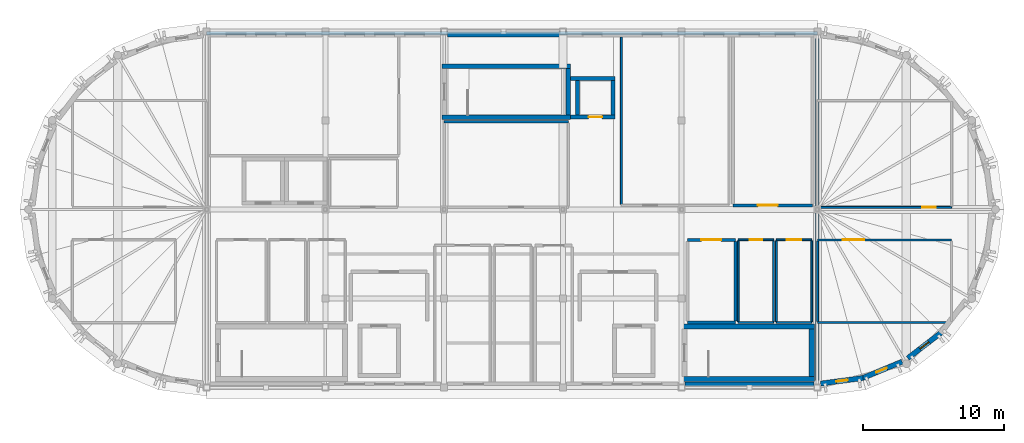
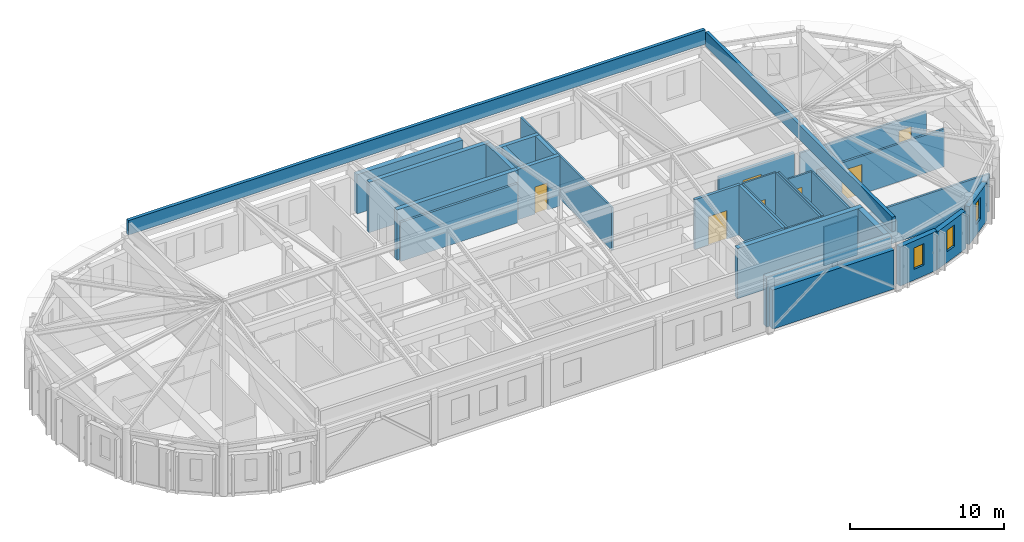
# One storey, part 9 of 11: 35 walls, 7 doors, 3 windows, 10 openings.
"""IFC4 building model written with IfcOpenShell, lengths in metres."""

from ifc_helpers import new_model, si_unit, direction, frame, frame_2d, origin, place, context, subcontext, project, spatial, rectangle, extrude, material, layer, layer_set, type_object, element, fill, save


model = new_model("IFC4")

# Units and contexts
model_context = context("Model", 3, precision=1e-05, world=origin(), true_north=direction((0.0, 1.0)))
body_context = subcontext(model_context, "Body", "Model", "MODEL_VIEW")
ifc_project = project(units=[si_unit("LENGTHUNIT", "METRE"), si_unit("AREAUNIT", "SQUARE_METRE"), si_unit("VOLUMEUNIT", "CUBIC_METRE"), si_unit("PLANEANGLEUNIT", "RADIAN"), si_unit("MASSUNIT", "GRAM", prefix="KILO")], contexts=[model_context])

# Site, building, storey
site_placement = place(None, origin())
site = spatial("IfcSite", under=ifc_project, at=site_placement, CompositionType="ELEMENT")
building_placement = place(site_placement, origin())
building = spatial("IfcBuilding", under=site, at=building_placement, Name="Tarnavel Promenade Courthouse", CompositionType="ELEMENT")
storey_placement = place(building_placement, frame((0.0, 0.0, 35.39990234375)))
storey = spatial("IfcBuildingStorey", under=building, at=storey_placement, Name="L09", CompositionType="ELEMENT", Elevation=35.39990234375)

# Wall
ifc_material_1 = material(Name="Acoustic Insulated Gypsum Stud Partition", Category="gypsum")
ifc_layer_1 = layer(ifc_material_1, 0.1650390625)
ifc_layer_set_1 = layer_set([ifc_layer_1], Name="Acoustic Insulated Gypsum Stud Partition")
wall_type_1 = type_object("IfcWallType", Name="Acoustic Insulated Gypsum Stud Partition WL-CHM-165 (165 mm)", PredefinedType="PARTITIONING", material=ifc_layer_set_1)
wall_1_placement = place(storey_placement, frame((75.60009765625, 98.0, 0.0), z_axis=(0.0, 0.0, 1.0), x_axis=(1.0, 0.0, 0.0)))
element("IfcWall", 1, at=wall_1_placement, inside=storey, type_object=wall_type_1, Name="L09 L09 Judicial Panel Deliberation Salon Partition 1026", PredefinedType="PARTITIONING", context=body_context, shape_type="SweptSolid", body=[
    extrude(rectangle(XDim=8.7998046875, YDim=0.1650390625, at=frame_2d((4.39990234375, 0.0))), origin(), (0.0, 0.0, 1.0), 3.09521484375),
])

# Wall, opening, door
ifc_layer_2 = layer(ifc_material_1, 0.14990234375)
ifc_layer_set_2 = layer_set([ifc_layer_2], Name="Acoustic Insulated Gypsum Stud Partition")
wall_type_2 = type_object("IfcWallType", Name="Acoustic Insulated Gypsum Stud Partition WL-LIB-150 (150 mm)", PredefinedType="PARTITIONING", material=ifc_layer_set_2)
wall_2_placement = place(storey_placement, frame((102.0, 89.64990234375, 0.0), z_axis=(0.0, 0.0, 1.0), x_axis=(1.0, 0.0, 0.0)))
wall_2 = element("IfcWall", 2, at=wall_2_placement, inside=storey, type_object=wall_type_2, Name="L09 L09 East Drum Collegium Reference Room Partition 1057", PredefinedType="PARTITIONING", context=body_context, shape_type="SweptSolid", body=[
    extrude(rectangle(XDim=9.5, YDim=0.14990234375, at=frame_2d((4.75, 0.0))), origin(), (0.0, 0.0, 1.0), 2.9951171875),
])
opening_1_placement = place(wall_2_placement, frame((1.81005859375, 0.0, 0.0)))
opening_1 = element("IfcOpeningElement", 3, at=opening_1_placement, cuts=wall_2, Name="Opening ID-05", PredefinedType="OPENING", context=body_context, shape_type="SweptSolid", body=[
    extrude(rectangle(XDim=1.5, YDim=2.35009765625, at=frame_2d((0.75, 1.175048828125))), frame((0.0, 0.0849609375, 0.0), z_axis=(0.0, -1.0, 0.0), x_axis=(1.0, 0.0, 0.0)), (0.0, 0.0, 1.0), 0.169921875),
])
ifc_material_2 = material(Name="Glazed Oak Law Library Double Door")
door_type_1 = type_object("IfcDoorType", Name="Glazed Oak Law Library Double Door (DR-LIB-1500x2350)", OperationType="NOTDEFINED", PredefinedType="DOOR", material=ifc_material_2)
door_1_placement = place(opening_1_placement, origin())
door_1 = element("IfcDoor", 4, at=door_1_placement, inside=storey, type_object=door_type_1, Name="L09 L09 East Drum Collegium Reference Room Door 0301", OperationType="DOUBLE_DOOR_SINGLE_SWING", OverallHeight=2.35009765625, OverallWidth=1.5, PredefinedType="DOOR", context=body_context, shape_type="SweptSolid", body=[
    extrude(rectangle(XDim=1.5, YDim=2.35009765625, at=frame_2d((0.75, 1.175048828125))), frame((0.0, 0.02490234375, 0.0), z_axis=(0.0, -1.0, 0.0), x_axis=(1.0, 0.0, 0.0)), (0.0, 0.0, 1.0), 0.050048828125),
])
fill(opening_1, door_1)

# Walls
wall_3_placement = place(storey_placement, frame((111.5, 83.800048828125, 0.0), z_axis=(0.0, 0.0, 1.0), x_axis=(-1.0, 0.0, 0.0)))
element("IfcWall", 5, at=wall_3_placement, inside=storey, type_object=wall_type_2, Name="L09 L09 East Drum Collegium Reference Room Partition 1058", PredefinedType="PARTITIONING", context=body_context, shape_type="SweptSolid", body=[
    extrude(rectangle(XDim=9.5, YDim=0.14990234375, at=frame_2d((4.75, 0.0))), origin(), (0.0, 0.0, 1.0), 2.9951171875),
])
wall_4_placement = place(storey_placement, frame((102.0, 83.885009765625, 0.0), z_axis=(0.0, 0.0, 1.0), x_axis=(0.0, 1.0, 0.0)))
element("IfcWall", 6, at=wall_4_placement, inside=storey, type_object=wall_type_2, Name="L09 L09 East Drum Collegium Reference Room Partition 1059", PredefinedType="PARTITIONING", context=body_context, shape_type="SweptSolid", body=[
    extrude(rectangle(XDim=5.679931640625, YDim=0.14990234375, at=frame_2d((2.83984375, 0.0))), origin(), (0.0, 0.0, 1.0), 3.09521484375),
])
ifc_material_3 = material(Name="Concrete C40/50", Category="concrete")
ifc_layer_3 = layer(ifc_material_3, 0.280029296875)
ifc_layer_set_3 = layer_set([ifc_layer_3], Name="Concrete C40/50")
wall_type_3 = type_object("IfcWallType", Name="Concrete C40/50 WL-SHR-280 (280 mm)", PredefinedType="SHEAR", material=ifc_layer_set_3)
wall_5_placement = place(storey_placement, frame((84.5400390625, 101.06005859375, 0.0), z_axis=(0.0, 0.0, 1.0), x_axis=(1.0, 0.0, 0.0)))
element("IfcWall", 7, at=wall_5_placement, inside=storey, type_object=wall_type_3, Name="L09 L-JUD1 Lift Shaft North Wall", PredefinedType="SHEAR", context=body_context, shape_type="SweptSolid", body=[
    extrude(rectangle(XDim=3.159912109375, YDim=0.280029296875, at=frame_2d((1.580078125, 0.0))), origin(), (0.0, 0.0, 1.0), 3.97998046875),
])

# Wall, opening, door
wall_6_placement = place(storey_placement, frame((87.699951171875, 98.340087890625, 0.0), z_axis=(0.0, 0.0, 1.0), x_axis=(-1.0, 0.0, 0.0)))
wall_6 = element("IfcWall", 8, at=wall_6_placement, inside=storey, type_object=wall_type_3, Name="L09 L-JUD1 Lift Shaft South Wall", PredefinedType="SHEAR", context=body_context, shape_type="SweptSolid", body=[
    extrude(rectangle(XDim=3.159912109375, YDim=0.280029296875, at=frame_2d((1.580078125, 0.0))), origin(), (0.0, 0.0, 1.0), 3.97998046875),
])
opening_2_placement = place(wall_6_placement, frame((0.925048828125, 0.0, 0.0)))
opening_2 = element("IfcOpeningElement", 9, at=opening_2_placement, cuts=wall_6, Name="Opening LD-03", PredefinedType="OPENING", context=body_context, shape_type="SweptSolid", body=[
    extrude(rectangle(XDim=0.949951171875, YDim=2.14990234375, at=frame_2d((0.47509765625, 1.074951171875))), frame((0.0, 0.14990234375, 0.0), z_axis=(0.0, -1.0, 0.0), x_axis=(1.0, 0.0, 0.0)), (0.0, 0.0, 1.0), 0.300048828125),
])
ifc_material_4 = material(Name="Stainless Steel Judicial Lift Landing Sliding Door", Category="steel")
door_type_2 = type_object("IfcDoorType", Name="Stainless Steel Judicial Lift Landing Sliding Door (LD-JUD-0950x2150)", OperationType="NOTDEFINED", PredefinedType="DOOR", material=ifc_material_4)
door_2_placement = place(opening_2_placement, origin())
door_2 = element("IfcDoor", 10, at=door_2_placement, inside=storey, type_object=door_type_2, Name="L09 L-JUD1 Lift Sliding Landing Door", OperationType="DOUBLE_DOOR_SLIDING", OverallHeight=2.14990234375, OverallWidth=0.949951171875, PredefinedType="DOOR", context=body_context, shape_type="SweptSolid", body=[
    extrude(rectangle(XDim=0.949951171875, YDim=2.14990234375, at=frame_2d((0.47509765625, 1.074951171875))), frame((0.0, 0.02490234375, 0.0), z_axis=(0.0, -1.0, 0.0), x_axis=(1.0, 0.0, 0.0)), (0.0, 0.0, 1.0), 0.050048828125),
])
fill(opening_2, door_2)

# Walls
for number, where, z_axis, x_axis, name in (
    (11, (85.0400390625, 98.47998046875, 0.0), (0.0, 0.0, 1.0), (0.0, 1.0, 0.0), "L09 L-JUD1 Lift Shaft West Wall"),
    (12, (87.56005859375, 100.919921875, 0.0), (0.0, 0.0, 1.0), (0.0, -1.0, 0.0), "L09 L-JUD1 Lift Shaft East Wall"),
):
    element("IfcWall", number, at=place(storey_placement, frame(where, z_axis=z_axis, x_axis=x_axis)), inside=storey, type_object=wall_type_3, Name=name, PredefinedType="SHEAR", context=body_context, shape_type="SweptSolid", body=[
        extrude(rectangle(XDim=2.43994140625, YDim=0.280029296875, at=frame_2d((1.219970703125, 0.0))), origin(), (0.0, 0.0, 1.0), 3.97998046875),
    ])
ifc_layer_4 = layer(ifc_material_3, 0.320068359375)
ifc_layer_set_4 = layer_set([ifc_layer_4], Name="Concrete C40/50")
wall_type_4 = type_object("IfcWallType", Name="Concrete C40/50 WL-SHR-320 (320 mm)", PredefinedType="SHEAR", material=ifc_layer_set_4)
for number, where, z_axis, x_axis, name in (
    (13, (75.4599609375, 101.919921875, 0.0), (0.0, 0.0, 1.0), (1.0, 0.0, 0.0), "L09 ST-03 Shear Core North Wall"),
    (14, (84.5400390625, 98.320068359375, 0.0), (0.0, 0.0, 1.0), (-1.0, 0.0, 0.0), "L09 ST-03 Shear Core South Wall"),
):
    element("IfcWall", number, at=place(storey_placement, frame(where, z_axis=z_axis, x_axis=x_axis)), inside=storey, type_object=wall_type_4, Name=name, PredefinedType="SHEAR", context=body_context, shape_type="SweptSolid", body=[
        extrude(rectangle(XDim=9.080078125, YDim=0.320068359375, at=frame_2d((4.5400390625, 0.0))), origin(), (0.0, 0.0, 1.0), 3.97998046875),
    ])
wall_7_placement = place(storey_placement, frame((84.3798828125, 101.760009765625, 0.0), z_axis=(0.0, 0.0, 1.0), x_axis=(0.0, -1.0, 0.0)))
element("IfcWall", 15, at=wall_7_placement, inside=storey, type_object=wall_type_4, Name="L09 ST-03 Shear Core East Wall", PredefinedType="SHEAR", context=body_context, shape_type="SweptSolid", body=[
    extrude(rectangle(XDim=3.280029296875, YDim=0.320068359375, at=frame_2d((1.64013671875, 0.0))), origin(), (0.0, 0.0, 1.0), 3.97998046875),
])
ifc_layer_5 = layer(ifc_material_3, 0.360107421875)
ifc_layer_set_5 = layer_set([ifc_layer_5], Name="Concrete C40/50")
wall_type_5 = type_object("IfcWallType", Name="Concrete C40/50 WL-SHR-360 (360 mm)", PredefinedType="SHEAR", material=ifc_layer_set_5)
for number, where, z_axis, x_axis, name in (
    (16, (92.419921875, 83.52001953125, 0.0), (0.0, 0.0, 1.0), (1.0, 0.0, 0.0), "L09 ST-02 Shear Core North Wall"),
    (17, (101.780029296875, 79.800048828125, 0.0), (0.0, 0.0, 1.0), (-1.0, 0.0, 0.0), "L09 ST-02 Shear Core South Wall"),
):
    element("IfcWall", number, at=place(storey_placement, frame(where, z_axis=z_axis, x_axis=x_axis)), inside=storey, type_object=wall_type_5, Name=name, PredefinedType="SHEAR", context=body_context, shape_type="SweptSolid", body=[
        extrude(rectangle(XDim=9.360107421875, YDim=0.360107421875, at=frame_2d((4.68017578125, 0.0))), origin(), (0.0, 0.0, 1.0), 3.97998046875),
    ])
wall_8_placement = place(storey_placement, frame((101.60009765625, 83.340087890625, 0.0), z_axis=(0.0, 0.0, 1.0), x_axis=(0.0, -1.0, 0.0)))
element("IfcWall", 18, at=wall_8_placement, inside=storey, type_object=wall_type_5, Name="L09 ST-02 Shear Core East Wall", PredefinedType="SHEAR", context=body_context, shape_type="SweptSolid", body=[
    extrude(rectangle(XDim=3.360107421875, YDim=0.360107421875, at=frame_2d((1.68017578125, 0.0))), origin(), (0.0, 0.0, 1.0), 3.97998046875),
])

# Wall, opening, door
ifc_material_5 = material(Name="Concrete Masonry Fire Compartment Wall", Category="masonry")
ifc_layer_6 = layer(ifc_material_5, 0.205078125)
ifc_layer_set_6 = layer_set([ifc_layer_6], Name="Concrete Masonry Fire Compartment Wall")
wall_type_6 = type_object("IfcWallType", Name="Concrete Masonry Fire Compartment Wall WL-CMP-205 (205 mm)", PredefinedType="STANDARD", material=ifc_layer_set_6)
wall_9_placement = place(storey_placement, frame((92.800048828125, 89.64990234375, 0.0), z_axis=(0.0, 0.0, 1.0), x_axis=(1.0, 0.0, 0.0)))
wall_9 = element("IfcWall", 19, at=wall_9_placement, inside=storey, type_object=wall_type_6, Name="L09 L09 Court Transcript Records Room Partition 1015", PredefinedType="STANDARD", context=body_context, shape_type="SweptSolid", body=[
    extrude(rectangle(XDim=3.39990234375, YDim=0.205078125, at=frame_2d((1.699951171875, 0.0))), origin(), (0.0, 0.0, 1.0), 3.9501953125),
])
opening_3_placement = place(wall_9_placement, frame((1.0, 0.0, 0.0)))
opening_3 = element("IfcOpeningElement", 20, at=opening_3_placement, cuts=wall_9, Name="Opening FD-04", PredefinedType="OPENING", context=body_context, shape_type="SweptSolid", body=[
    extrude(rectangle(XDim=1.39990234375, YDim=2.25, at=frame_2d((0.699951171875, 1.125))), frame((0.0, 0.112548828125, 0.0), z_axis=(0.0, -1.0, 0.0), x_axis=(1.0, 0.0, 0.0)), (0.0, 0.0, 1.0), 0.22509765625),
])
ifc_material_6 = material(Name="Heavy Steel Plant Room Fire Door", Category="steel")
door_type_3 = type_object("IfcDoorType", Name="Heavy Steel Plant Room Fire Door (DR-PLT-1400x2250)", OperationType="NOTDEFINED", PredefinedType="DOOR", material=ifc_material_6)
door_3_placement = place(opening_3_placement, origin())
door_3 = element("IfcDoor", 21, at=door_3_placement, inside=storey, type_object=door_type_3, Name="L09 L09 Court Transcript Records Room Door 0289", OperationType="SINGLE_SWING_RIGHT", OverallHeight=2.25, OverallWidth=1.39990234375, PredefinedType="DOOR", context=body_context, shape_type="SweptSolid", body=[
    extrude(rectangle(XDim=1.39990234375, YDim=2.25, at=frame_2d((0.699951171875, 1.125))), frame((0.0, 0.02490234375, 0.0), z_axis=(0.0, -1.0, 0.0), x_axis=(1.0, 0.0, 0.0)), (0.0, 0.0, 1.0), 0.050048828125),
])
fill(opening_3, door_3)

# Walls
wall_10_placement = place(storey_placement, frame((96.199951171875, 83.800048828125, 0.0), z_axis=(0.0, 0.0, 1.0), x_axis=(-1.0, 0.0, 0.0)))
element("IfcWall", 22, at=wall_10_placement, inside=storey, type_object=wall_type_6, Name="L09 L09 Court Transcript Records Room Partition 1016", PredefinedType="STANDARD", context=body_context, shape_type="SweptSolid", body=[
    extrude(rectangle(XDim=3.39990234375, YDim=0.205078125, at=frame_2d((1.699951171875, 0.0))), origin(), (0.0, 0.0, 1.0), 3.9501953125),
])
wall_11_placement = place(storey_placement, frame((96.199951171875, 89.53759765625, 0.0), z_axis=(0.0, 0.0, 1.0), x_axis=(0.0, -1.0, 0.0)))
element("IfcWall", 23, at=wall_11_placement, inside=storey, type_object=wall_type_6, Name="L09 L09 Court Transcript Records Room Partition 1018", PredefinedType="STANDARD", context=body_context, shape_type="SweptSolid", body=[
    extrude(rectangle(XDim=5.625, YDim=0.205078125, at=frame_2d((2.8125, 0.0))), origin(), (0.0, 0.0, 1.0), 3.9501953125),
])

# Wall, opening, door
wall_12_placement = place(storey_placement, frame((101.659912109375, 92.090087890625, 0.0), z_axis=(0.0, 0.0, 1.0), x_axis=(-1.0, 0.0, 0.0)))
wall_12 = element("IfcWall", 24, at=wall_12_placement, inside=storey, type_object=wall_type_6, Name="L09 Upper Air-Handling Plant Room West Partition 1033", PredefinedType="STANDARD", context=body_context, shape_type="SweptSolid", body=[
    extrude(rectangle(XDim=5.634033203125, YDim=0.205078125, at=frame_2d((2.81689453125, 0.0))), origin(), (0.0, 0.0, 1.0), 3.09521484375),
])
opening_4_placement = place(wall_12_placement, frame((2.470458984375, 0.0, 0.0)))
opening_4 = element("IfcOpeningElement", 25, at=opening_4_placement, cuts=wall_12, Name="Opening FD-04", PredefinedType="OPENING", context=body_context, shape_type="SweptSolid", body=[
    extrude(rectangle(XDim=1.39990234375, YDim=2.25, at=frame_2d((0.699951171875, 1.125))), frame((0.0, 0.112548828125, 0.0), z_axis=(0.0, -1.0, 0.0), x_axis=(1.0, 0.0, 0.0)), (0.0, 0.0, 1.0), 0.22509765625),
])
door_4_placement = place(opening_4_placement, origin())
door_4 = element("IfcDoor", 26, at=door_4_placement, inside=storey, type_object=door_type_3, Name="L09 Upper Air-Handling Plant Room West Door 0294", OperationType="SINGLE_SWING_LEFT", OverallHeight=2.25, OverallWidth=1.39990234375, PredefinedType="DOOR", context=body_context, shape_type="SweptSolid", body=[
    extrude(rectangle(XDim=1.39990234375, YDim=2.25, at=frame_2d((0.699951171875, 1.125))), frame((0.0, 0.02490234375, 0.0), z_axis=(0.0, -1.0, 0.0), x_axis=(1.0, 0.0, 0.0)), (0.0, 0.0, 1.0), 0.050048828125),
])
fill(opening_4, door_4)

# Walls
ifc_material_7 = material(Name="Cream Brick Insulated Cavity Facade Assembly", Category="masonry")
ifc_layer_7 = layer(ifc_material_7, 0.3798828125)
ifc_layer_set_7 = layer_set([ifc_layer_7], Name="Cream Brick Insulated Cavity Facade Assembly")
wall_type_7 = type_object("IfcWallType", Name="Cream Brick Insulated Cavity Facade Assembly WL-EXT-380 (380 mm)", PredefinedType="STANDARD", material=ifc_layer_set_7)
wall_13_placement = place(storey_placement, frame((75.842041015625, 104.179931640625, 0.0), z_axis=(0.0, 0.0, 1.0), x_axis=(1.0, 0.0, 0.0)))
element("IfcWall", 27, at=wall_13_placement, inside=storey, type_object=wall_type_7, Name="L09 Bar North Limestone Facade 0240", PredefinedType="STANDARD", context=body_context, shape_type="SweptSolid", body=[
    extrude(rectangle(XDim=7.916015625, YDim=0.3798828125, at=frame_2d((3.9580078125, 0.0))), origin(), (0.0, 0.0, 1.0), 3.09521484375),
])
wall_14_placement = place(storey_placement, frame((101.758056640625, 79.419921875, 0.0), z_axis=(0.0, 0.0, 1.0), x_axis=(-1.0, 0.0, 0.0)))
element("IfcWall", 28, at=wall_14_placement, inside=storey, type_object=wall_type_7, Name="L09 Bar South Limestone Facade 0247", PredefinedType="STANDARD", context=body_context, shape_type="SweptSolid", body=[
    extrude(rectangle(XDim=9.115966796875, YDim=0.3798828125, at=frame_2d((4.55810546875, 0.0))), origin(), (0.0, 0.0, 1.0), 3.09521484375),
])
ifc_material_8 = material(Name="Limestone Coping Parapet Wall Assembly", Category="masonry")
ifc_layer_8 = layer(ifc_material_8, 0.2451171875)
ifc_layer_set_8 = layer_set([ifc_layer_8], Name="Limestone Coping Parapet Wall Assembly")
wall_type_8 = type_object("IfcWallType", Name="Limestone Coping Parapet Wall Assembly WL-PAR-245 (245 mm)", PredefinedType="PARAPET", material=ifc_layer_set_8)
wall_15_placement = place(storey_placement, frame((58.800048828125, 104.25, 4.2001953125), z_axis=(0.0, 0.0, 1.0), x_axis=(1.0, 0.0, 0.0)))
element("IfcWall", 29, at=wall_15_placement, inside=storey, type_object=wall_type_8, Name="L09 L09 Top Crown Perimeter Parapet North 0474", PredefinedType="PARAPET", context=body_context, shape_type="SweptSolid", body=[
    extrude(rectangle(XDim=43.199951171875, YDim=0.2451171875, at=frame_2d((21.60009765625, 0.0))), origin(), (0.0, 0.0, 1.0), 1.14990234375),
])
wall_16_placement = place(storey_placement, frame((102.0, 103.89990234375, 4.2001953125), z_axis=(0.0, 0.0, 1.0), x_axis=(0.0, -1.0, 0.0)))
element("IfcWall", 30, at=wall_16_placement, inside=storey, type_object=wall_type_8, Name="L09 L09 Top Crown Perimeter Parapet East 0477", PredefinedType="PARAPET", context=body_context, shape_type="SweptSolid", body=[
    extrude(rectangle(XDim=24.199951171875, YDim=0.2451171875, at=frame_2d((12.10009765625, 0.0))), origin(), (0.0, 0.0, 1.0), 1.14990234375),
])
ifc_material_9 = material(Name="Metal-Stud Acoustic Gypsum Partition", Category="gypsum")
ifc_layer_9 = layer(ifc_material_9, 0.135009765625)
ifc_layer_set_9 = layer_set([ifc_layer_9], Name="Metal-Stud Acoustic Gypsum Partition")
wall_type_9 = type_object("IfcWallType", Name="Metal-Stud Acoustic Gypsum Partition WL-OFF-135 (135 mm)", PredefinedType="PARTITIONING", material=ifc_layer_set_9)
wall_17_placement = place(storey_placement, frame((88.139892578125, 92.16748046875, 0.0), z_axis=(0.0, 0.0, 1.0), x_axis=(0.0, 1.0, 0.0)))
element("IfcWall", 31, at=wall_17_placement, inside=storey, type_object=wall_type_9, Name="L09 Judicial Council Boardroom Partition 1031", PredefinedType="PARTITIONING", context=body_context, shape_type="SweptSolid", body=[
    extrude(rectangle(XDim=11.82861328125, YDim=0.135009765625, at=frame_2d((5.914306640625, 0.0))), origin(), (0.0, 0.0, 1.0), 3.39501953125),
])

# Wall, opening, door
wall_18_placement = place(storey_placement, frame((111.5, 91.949951171875, 0.0), z_axis=(0.0, 0.0, 1.0), x_axis=(-1.0, 0.0, 0.0)))
wall_18 = element("IfcWall", 32, at=wall_18_placement, inside=storey, type_object=wall_type_9, Name="L09 L09 East Drum Rotunda Office North Partition 1054", PredefinedType="PARTITIONING", context=body_context, shape_type="SweptSolid", body=[
    extrude(rectangle(XDim=9.5, YDim=0.135009765625, at=frame_2d((4.75, 0.0))), origin(), (0.0, 0.0, 1.0), 2.9951171875),
])
opening_5_placement = place(wall_18_placement, frame((1.135009765625, 0.0, 0.0)))
opening_5 = element("IfcOpeningElement", 33, at=opening_5_placement, cuts=wall_18, Name="Opening ID-06", PredefinedType="OPENING", context=body_context, shape_type="SweptSolid", body=[
    extrude(rectangle(XDim=0.949951171875, YDim=2.14990234375, at=frame_2d((0.47509765625, 1.074951171875))), frame((0.0, 0.077392578125, 0.0), z_axis=(0.0, -1.0, 0.0), x_axis=(1.0, 0.0, 0.0)), (0.0, 0.0, 1.0), 0.155029296875),
])
ifc_material_10 = material(Name="Acoustic Timber Veneer Office Door", Category="wood")
door_type_4 = type_object("IfcDoorType", Name="Acoustic Timber Veneer Office Door (DR-OFF-0950x2150)", OperationType="NOTDEFINED", PredefinedType="DOOR", material=ifc_material_10)
door_5_placement = place(opening_5_placement, origin())
door_5 = element("IfcDoor", 34, at=door_5_placement, inside=storey, type_object=door_type_4, Name="L09 L09 East Drum Rotunda Office North Door 0300", OperationType="SINGLE_SWING_RIGHT", OverallHeight=2.14990234375, OverallWidth=0.949951171875, PredefinedType="DOOR", context=body_context, shape_type="SweptSolid", body=[
    extrude(rectangle(XDim=0.949951171875, YDim=2.14990234375, at=frame_2d((0.47509765625, 1.074951171875))), frame((0.0, 0.02490234375, 0.0), z_axis=(0.0, -1.0, 0.0), x_axis=(1.0, 0.0, 0.0)), (0.0, 0.0, 1.0), 0.050048828125),
])
fill(opening_5, door_5)

ifc_material_11 = material(Name="Moisture-Resistant Tile-Backed Stud Partition", Category="gypsum")
ifc_layer_10 = layer(ifc_material_11, 0.125)
ifc_layer_set_10 = layer_set([ifc_layer_10], Name="Moisture-Resistant Tile-Backed Stud Partition")
wall_type_10 = type_object("IfcWallType", Name="Moisture-Resistant Tile-Backed Stud Partition WL-WET-125 (125 mm)", PredefinedType="PARTITIONING", material=ifc_layer_set_10)
wall_19_placement = place(storey_placement, frame((96.39990234375, 89.64990234375, 0.0), z_axis=(0.0, 0.0, 1.0), x_axis=(1.0, 0.0, 0.0)))
wall_19 = element("IfcWall", 35, at=wall_19_placement, inside=storey, type_object=wall_type_10, Name="L09 Staff WC Partition 1003", PredefinedType="PARTITIONING", context=body_context, shape_type="SweptSolid", body=[
    extrude(rectangle(XDim=2.5, YDim=0.125, at=frame_2d((1.25, 0.0))), origin(), (0.0, 0.0, 1.0), 3.9501953125),
])
opening_6_placement = place(wall_19_placement, frame((0.800048828125, 0.0, 0.0)))
opening_6 = element("IfcOpeningElement", 36, at=opening_6_placement, cuts=wall_19, Name="Opening ID-08", PredefinedType="OPENING", context=body_context, shape_type="SweptSolid", body=[
    extrude(rectangle(XDim=0.89990234375, YDim=2.10009765625, at=frame_2d((0.449951171875, 1.050048828125))), frame((0.0, 0.072509765625, 0.0), z_axis=(0.0, -1.0, 0.0), x_axis=(1.0, 0.0, 0.0)), (0.0, 0.0, 1.0), 0.14501953125),
])
ifc_material_12 = material(Name="Moisture-Resistant Laminate Restroom Door")
door_type_5 = type_object("IfcDoorType", Name="Moisture-Resistant Laminate Restroom Door (DR-WC-0900x2100)", OperationType="NOTDEFINED", PredefinedType="DOOR", material=ifc_material_12)
door_6_placement = place(opening_6_placement, origin())
door_6 = element("IfcDoor", 37, at=door_6_placement, inside=storey, type_object=door_type_5, Name="L09 Staff WC Door 0286", OperationType="SINGLE_SWING_LEFT", OverallHeight=2.10009765625, OverallWidth=0.89990234375, PredefinedType="DOOR", context=body_context, shape_type="SweptSolid", body=[
    extrude(rectangle(XDim=0.89990234375, YDim=2.10009765625, at=frame_2d((0.449951171875, 1.050048828125))), frame((0.0, 0.02490234375, 0.0), z_axis=(0.0, -1.0, 0.0), x_axis=(1.0, 0.0, 0.0)), (0.0, 0.0, 1.0), 0.050048828125),
])
fill(opening_6, door_6)

# Walls
wall_20_placement = place(storey_placement, frame((98.89990234375, 83.800048828125, 0.0), z_axis=(0.0, 0.0, 1.0), x_axis=(-1.0, 0.0, 0.0)))
element("IfcWall", 38, at=wall_20_placement, inside=storey, type_object=wall_type_10, Name="L09 Staff WC Partition 1004", PredefinedType="PARTITIONING", context=body_context, shape_type="SweptSolid", body=[
    extrude(rectangle(XDim=2.5, YDim=0.125, at=frame_2d((1.25, 0.0))), origin(), (0.0, 0.0, 1.0), 3.9501953125),
])
for number, where, z_axis, x_axis, name in (
    (39, (96.39990234375, 83.87255859375, 0.0), (0.0, 0.0, 1.0), (0.0, 1.0, 0.0), "L09 Staff WC Partition 1005"),
    (40, (98.89990234375, 89.577392578125, 0.0), (0.0, 0.0, 1.0), (0.0, -1.0, 0.0), "L09 Staff WC Partition 1006"),
):
    element("IfcWall", number, at=place(storey_placement, frame(where, z_axis=z_axis, x_axis=x_axis)), inside=storey, type_object=wall_type_10, Name=name, PredefinedType="PARTITIONING", context=body_context, shape_type="SweptSolid", body=[
        extrude(rectangle(XDim=5.704833984375, YDim=0.125, at=frame_2d((2.8525390625, 0.0))), origin(), (0.0, 0.0, 1.0), 3.9501953125),
    ])

# Wall, opening, door
wall_21_placement = place(storey_placement, frame((99.10009765625, 89.64990234375, 0.0), z_axis=(0.0, 0.0, 1.0), x_axis=(1.0, 0.0, 0.0)))
wall_21 = element("IfcWall", 41, at=wall_21_placement, inside=storey, type_object=wall_type_10, Name="L09 Accessible Staff WC Partition 1007", PredefinedType="PARTITIONING", context=body_context, shape_type="SweptSolid", body=[
    extrude(rectangle(XDim=2.5, YDim=0.125, at=frame_2d((1.25, 0.0))), origin(), (0.0, 0.0, 1.0), 3.09521484375),
])
opening_7_placement = place(wall_21_placement, frame((0.75, 0.0, 0.0)))
opening_7 = element("IfcOpeningElement", 42, at=opening_7_placement, cuts=wall_21, Name="Opening ID-09", PredefinedType="OPENING", context=body_context, shape_type="SweptSolid", body=[
    extrude(rectangle(XDim=1.0, YDim=2.10009765625, at=frame_2d((0.5, 1.050048828125))), frame((0.0, 0.072509765625, 0.0), z_axis=(0.0, -1.0, 0.0), x_axis=(1.0, 0.0, 0.0)), (0.0, 0.0, 1.0), 0.14501953125),
])
ifc_material_13 = material(Name="Wide Accessible Restroom Outward Door")
door_type_6 = type_object("IfcDoorType", Name="Wide Accessible Restroom Outward Door (DR-AWC-1000x2100)", OperationType="NOTDEFINED", PredefinedType="DOOR", material=ifc_material_13)
door_7_placement = place(opening_7_placement, origin())
door_7 = element("IfcDoor", 43, at=door_7_placement, inside=storey, type_object=door_type_6, Name="L09 Accessible Staff WC Door 0287", OperationType="SINGLE_SWING_RIGHT", OverallHeight=2.10009765625, OverallWidth=1.0, PredefinedType="DOOR", context=body_context, shape_type="SweptSolid", body=[
    extrude(rectangle(XDim=1.0, YDim=2.10009765625, at=frame_2d((0.5, 1.050048828125))), frame((0.0, 0.02490234375, 0.0), z_axis=(0.0, -1.0, 0.0), x_axis=(1.0, 0.0, 0.0)), (0.0, 0.0, 1.0), 0.050048828125),
])
fill(opening_7, door_7)

# Walls
wall_22_placement = place(storey_placement, frame((101.60009765625, 83.800048828125, 0.0), z_axis=(0.0, 0.0, 1.0), x_axis=(-1.0, 0.0, 0.0)))
element("IfcWall", 44, at=wall_22_placement, inside=storey, type_object=wall_type_10, Name="L09 Accessible Staff WC Partition 1008", PredefinedType="PARTITIONING", context=body_context, shape_type="SweptSolid", body=[
    extrude(rectangle(XDim=2.5, YDim=0.125, at=frame_2d((1.25, 0.0))), origin(), (0.0, 0.0, 1.0), 3.09521484375),
])
wall_23_placement = place(storey_placement, frame((99.10009765625, 83.87255859375, 0.0), z_axis=(0.0, 0.0, 1.0), x_axis=(0.0, 1.0, 0.0)))
element("IfcWall", 45, at=wall_23_placement, inside=storey, type_object=wall_type_10, Name="L09 Accessible Staff WC Partition 1009", PredefinedType="PARTITIONING", context=body_context, shape_type="SweptSolid", body=[
    extrude(rectangle(XDim=5.704833984375, YDim=0.125, at=frame_2d((2.8525390625, 0.0))), origin(), (0.0, 0.0, 1.0), 3.9501953125),
])
wall_24_placement = place(storey_placement, frame((101.60009765625, 89.577392578125, 0.0), z_axis=(0.0, 0.0, 1.0), x_axis=(0.0, -1.0, 0.0)))
element("IfcWall", 46, at=wall_24_placement, inside=storey, type_object=wall_type_10, Name="L09 Accessible Staff WC Partition 1010", PredefinedType="PARTITIONING", context=body_context, shape_type="SweptSolid", body=[
    extrude(rectangle(XDim=5.704833984375, YDim=0.125, at=frame_2d((2.8525390625, 0.0))), origin(), (0.0, 0.0, 1.0), 3.09521484375),
])

# Wall, opening, window
ifc_material_14 = material(Name="Patinated Copper-Bronze Insulated Drum Wall Assembly", Category="masonry")
ifc_layer_11 = layer(ifc_material_14, 0.364990234375)
ifc_layer_set_11 = layer_set([ifc_layer_11], Name="Patinated Copper-Bronze Insulated Drum Wall Assembly")
wall_type_11 = type_object("IfcWallType", Name="Patinated Copper-Bronze Insulated Drum Wall Assembly WL-DRUM-365 (365 mm)", PredefinedType="ELEMENTEDWALL", material=ifc_layer_set_11)
wall_25_placement = place(storey_placement, frame((102.22705078125, 79.48193359375, 0.0), z_axis=(0.0, 0.0, 1.0), x_axis=(0.991440016295, 0.130562988969, 0.0)))
wall_25 = element("IfcWall", 47, at=wall_25_placement, inside=storey, type_object=wall_type_11, Name="L09 E Copper Drum Chord Wall 01 0260", PredefinedType="ELEMENTEDWALL", context=body_context, shape_type="SweptSolid", body=[
    extrude(rectangle(XDim=3.02734375, YDim=0.364990234375, at=frame_2d((1.513671875, 0.0))), origin(), (0.0, 0.0, 1.0), 3.09521484375),
])
opening_8_placement = place(wall_25_placement, frame((1.127685546875, 0.0, 0.85009765625)))
opening_8 = element("IfcOpeningElement", 48, at=opening_8_placement, cuts=wall_25, Name="Opening W-09", PredefinedType="OPENING", context=body_context, shape_type="SweptSolid", body=[
    extrude(rectangle(XDim=0.800048828125, YDim=1.699951171875, at=frame_2d((0.39990234375, 0.85009765625))), frame((0.0, 0.1923828125, 0.0), z_axis=(0.0, -1.0, 0.0), x_axis=(1.0, 0.0, 0.0)), (0.0, 0.0, 1.0), 0.385009765625),
])
ifc_material_15 = material(Name="Triple Low-E Glazed Bronze-Clad Window Assembly")
window_type = type_object("IfcWindowType", Name="Triple-Glazed Bronze-Clad Timber-Aluminium WIN-DRM-0800x1700", PartitioningType="SINGLE_PANEL", PredefinedType="WINDOW", material=ifc_material_15)
window_1_placement = place(opening_8_placement, origin())
window_1 = element("IfcWindow", 49, at=window_1_placement, inside=storey, type_object=window_type, Name="L09 Exterior Window 0225", OverallHeight=1.699951171875, OverallWidth=0.800048828125, PartitioningType="SINGLE_PANEL", PredefinedType="WINDOW", context=body_context, shape_type="SweptSolid", body=[
    extrude(rectangle(XDim=0.800048828125, YDim=1.699951171875, at=frame_2d((0.39990234375, 0.85009765625))), frame((0.0, 0.030029296875, 0.0), z_axis=(0.0, -1.0, 0.0), x_axis=(1.0, 0.0, 0.0)), (0.0, 0.0, 1.0), 0.06005859375),
])
fill(opening_8, window_1)

wall_26_placement = place(storey_placement, frame((105.16552734375, 79.8603515625, 0.0), z_axis=(0.0, 0.0, 1.0), x_axis=(0.923876904284, 0.382689777405, 0.0)))
wall_26 = element("IfcWall", 50, at=wall_26_placement, inside=storey, type_object=wall_type_11, Name="L09 E Copper Drum Chord Wall 02 0261", PredefinedType="ELEMENTEDWALL", context=body_context, shape_type="SweptSolid", body=[
    extrude(rectangle(XDim=3.062255859375, YDim=0.364990234375, at=frame_2d((1.53125, 0.0))), origin(), (0.0, 0.0, 1.0), 2.9951171875),
])
opening_9_placement = place(wall_26_placement, frame((1.087158203125, 0.0, 0.85009765625)))
opening_9 = element("IfcOpeningElement", 51, at=opening_9_placement, cuts=wall_26, Name="Opening W-09", PredefinedType="OPENING", context=body_context, shape_type="SweptSolid", body=[
    extrude(rectangle(XDim=0.800048828125, YDim=1.699951171875, at=frame_2d((0.39990234375, 0.85009765625))), frame((0.0, 0.1923828125, 0.0), z_axis=(0.0, -1.0, 0.0), x_axis=(1.0, 0.0, 0.0)), (0.0, 0.0, 1.0), 0.385009765625),
])
window_2_placement = place(opening_9_placement, origin())
window_2 = element("IfcWindow", 52, at=window_2_placement, inside=storey, type_object=window_type, Name="L09 Exterior Window 0226", OverallHeight=1.699951171875, OverallWidth=0.800048828125, PartitioningType="SINGLE_PANEL", PredefinedType="WINDOW", context=body_context, shape_type="SweptSolid", body=[
    extrude(rectangle(XDim=0.800048828125, YDim=1.699951171875, at=frame_2d((0.39990234375, 0.85009765625))), frame((0.0, 0.030029296875, 0.0), z_axis=(0.0, -1.0, 0.0), x_axis=(1.0, 0.0, 0.0)), (0.0, 0.0, 1.0), 0.06005859375),
])
fill(opening_9, window_2)

wall_27_placement = place(storey_placement, frame((108.397705078125, 81.2783203125, 0.0), z_axis=(0.0, 0.0, 1.0), x_axis=(0.793361877219, 0.608750303306, 0.0)))
wall_27 = element("IfcWall", 53, at=wall_27_placement, inside=storey, type_object=wall_type_11, Name="L09 E Copper Drum Chord Wall 03 0262", PredefinedType="ELEMENTEDWALL", context=body_context, shape_type="SweptSolid", body=[
    extrude(rectangle(XDim=2.97412109375, YDim=0.364990234375, at=frame_2d((1.487060546875, 0.0))), origin(), (0.0, 0.0, 1.0), 2.9951171875),
])
opening_10_placement = place(wall_27_placement, frame((1.087158203125, 0.0, 0.85009765625)))
opening_10 = element("IfcOpeningElement", 54, at=opening_10_placement, cuts=wall_27, Name="Opening W-09", PredefinedType="OPENING", context=body_context, shape_type="SweptSolid", body=[
    extrude(rectangle(XDim=0.800048828125, YDim=1.699951171875, at=frame_2d((0.39990234375, 0.85009765625))), frame((0.0, 0.1923828125, 0.0), z_axis=(0.0, -1.0, 0.0), x_axis=(1.0, 0.0, 0.0)), (0.0, 0.0, 1.0), 0.385009765625),
])
window_3_placement = place(opening_10_placement, origin())
window_3 = element("IfcWindow", 55, at=window_3_placement, inside=storey, type_object=window_type, Name="L09 Exterior Window 0227", OverallHeight=1.699951171875, OverallWidth=0.800048828125, PartitioningType="SINGLE_PANEL", PredefinedType="WINDOW", context=body_context, shape_type="SweptSolid", body=[
    extrude(rectangle(XDim=0.800048828125, YDim=1.699951171875, at=frame_2d((0.39990234375, 0.85009765625))), frame((0.0, 0.030029296875, 0.0), z_axis=(0.0, -1.0, 0.0), x_axis=(1.0, 0.0, 0.0)), (0.0, 0.0, 1.0), 0.06005859375),
])
fill(opening_10, window_3)

save(model, "model.ifc")
